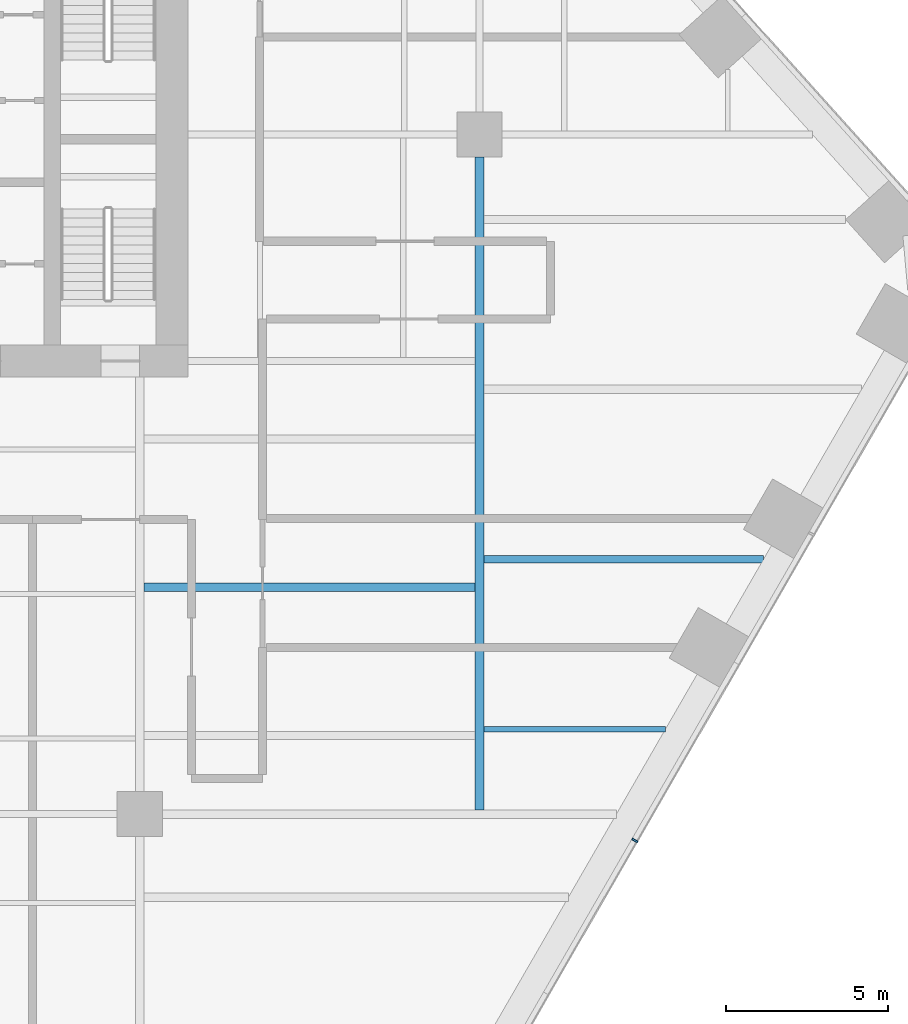
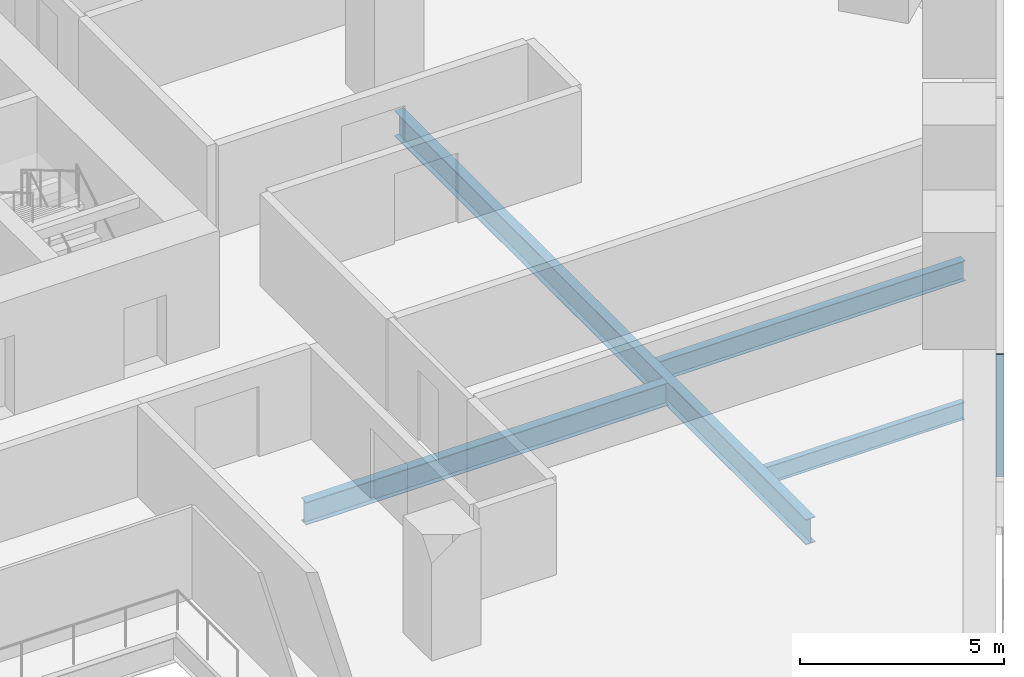
# One storey, part 7 of 21: 4 beams, 1 member, 1 element without a shape of its own.
"""IFC4 building model written with IfcOpenShell, lengths in metres."""

import ifcopenshell
import ifcopenshell.guid

model = None  # the IFC model being written
_history = None  # IfcOwnerHistory: only IFC2X3 demands one
_inside = {}  # id of a spatial element -> (the spatial element, [elements in it])
_under = {}  # id of a project, library or spatial element -> (it, [spatial elements below it])
_declared = {}  # id of a project -> (the project, [libraries it declares])
_typed = {}  # id of a type object -> (the type object, [elements of that type])
_made_of = {}  # id of a material, layer set ... -> (it, [elements and type objects made of it])


def new_model(schema):
    """Start an empty IFC model of exactly this schema.

    Asked for "IFC4X3", IfcOpenShell would pick the latest addendum, in which some entities
    have other attributes; the version numbers below select the first issue.
    IFC2X3 requires an IfcOwnerHistory on every rooted entity: one is made here for all.
    """
    global model, _history
    if schema == "IFC4X3":
        model = ifcopenshell.file(schema_version=(4, 3, 0, 0))
    else:
        model = ifcopenshell.file(schema=schema)
    _inside.clear()
    _under.clear()
    _declared.clear()
    _typed.clear()
    _made_of.clear()
    _history = None
    if model.schema == "IFC2X3":
        org = make("IfcOrganization", Name="unknown")
        user = make(
            "IfcPersonAndOrganization",
            ThePerson=make("IfcPerson", FamilyName="unknown"),
            TheOrganization=org,
        )
        app = make(
            "IfcApplication",
            ApplicationDeveloper=org,
            Version="unknown",
            ApplicationFullName="unknown",
            ApplicationIdentifier="unknown",
        )
        _history = make(
            "IfcOwnerHistory",
            OwningUser=user,
            OwningApplication=app,
            ChangeAction="ADDED",
            CreationDate=0,
        )
    return model


def make(cls, **values):
    """One entity of the class cls with the attributes given. An attribute that is None is left unset."""
    return model.create_entity(
        cls, **{name: value for name, value in values.items() if value is not None}
    )


def rooted(cls, **values):
    """An entity with a GlobalId (a new one), such as an element, a storey or a relation."""
    return make(cls, GlobalId=ifcopenshell.guid.new(), OwnerHistory=_history, **values)


def si_unit(unit_type, name, prefix=None):
    """IfcSIUnit, for example si_unit("LENGTHUNIT", "METRE", prefix="MILLI")."""
    return make("IfcSIUnit", UnitType=unit_type, Prefix=prefix, Name=name)


def assignment(units):
    """IfcUnitAssignment: the units of a project."""
    return None if units is None else make("IfcUnitAssignment", Units=units)


def point(xyz):
    """IfcCartesianPoint."""
    return None if xyz is None else make("IfcCartesianPoint", Coordinates=xyz)


def direction(xyz):
    """IfcDirection."""
    return None if xyz is None else make("IfcDirection", DirectionRatios=xyz)


def frame(location, z_axis=None, x_axis=None):
    """IfcAxis2Placement3D, a coordinate frame: its origin and axes. An axis left out is left unset."""
    return make(
        "IfcAxis2Placement3D",
        Location=point(location),
        Axis=direction(z_axis),
        RefDirection=direction(x_axis),
    )


def frame_2d(location, x_axis=None):
    """IfcAxis2Placement2D, a coordinate frame in the plane: its origin and x axis."""
    return make(
        "IfcAxis2Placement2D", Location=point(location), RefDirection=direction(x_axis)
    )


def origin():
    """The frame at (0, 0, 0) with its axes left unset."""
    return frame((0.0, 0.0, 0.0))


def origin_2d():
    """The frame at (0, 0) in the plane with its x axis left unset."""
    return frame_2d((0.0, 0.0))


def place(relative_to, where):
    """IfcLocalPlacement: puts the frame where relative to a parent placement (None: the world)."""
    return make(
        "IfcLocalPlacement", PlacementRelTo=relative_to, RelativePlacement=where
    )


def context(
    kind, dimensions, precision=None, world=None, true_north=None, identifier=None
):
    """IfcGeometricRepresentationContext, for example the 3D "Model" context."""
    return make(
        "IfcGeometricRepresentationContext",
        ContextIdentifier=identifier,
        ContextType=kind,
        CoordinateSpaceDimension=dimensions,
        Precision=precision,
        WorldCoordinateSystem=world,
        TrueNorth=true_north,
    )


def subcontext(parent, identifier, kind, view, scale=None):
    """IfcGeometricRepresentationSubContext, for example "Body" below "Model"."""
    return make(
        "IfcGeometricRepresentationSubContext",
        ContextIdentifier=identifier,
        ContextType=kind,
        ParentContext=parent,
        TargetScale=scale,
        TargetView=view,
    )


def project(units=None, contexts=None):
    """IfcProject with its units and contexts."""
    return rooted(
        "IfcProject",
        Name="project",
        RepresentationContexts=contexts,
        UnitsInContext=assignment(units),
    )


def spatial(cls, under=None, at=None, **own):
    """A site, building, storey or space (cls), placed at a placement, below another one or the project."""
    s = rooted(cls, ObjectPlacement=at, **own)
    if under is not None:
        _under.setdefault(under.id(), (under, []))[1].append(s)
    return s


def profile(cls, at=None, kind="AREA", **sizes):
    """A parametric profile (cls). Its sizes go by their IFC names, for example OverallWidth=200.0."""
    return make(cls, ProfileType=kind, Position=at, **sizes)


def rectangle(**sizes):
    """IfcRectangleProfileDef."""
    return profile("IfcRectangleProfileDef", **sizes)


def i_section(**sizes):
    """IfcIShapeProfileDef."""
    return profile("IfcIShapeProfileDef", **sizes)


def extrude(swept, where, along, depth):
    """IfcExtrudedAreaSolid: the profile swept, set in the frame where, extruded along a direction by depth."""
    return make(
        "IfcExtrudedAreaSolid",
        SweptArea=swept,
        Position=where,
        ExtrudedDirection=direction(along),
        Depth=depth,
    )


def shape(context_of_items, identifier, shape_type, items):
    """IfcShapeRepresentation: the items that make up one representation, for example the "Body"."""
    return make(
        "IfcShapeRepresentation",
        ContextOfItems=context_of_items,
        RepresentationIdentifier=identifier,
        RepresentationType=shape_type,
        Items=items,
    )


def material(Name=None, Category=None):
    """IfcMaterial."""
    return make("IfcMaterial", Name=Name, Category=Category)


def layer(
    of_material, thickness, ventilated=None, Name=None, Category=None, Priority=None
):
    """IfcMaterialLayer: one layer of a wall or slab, of a material (None: an air gap)."""
    return make(
        "IfcMaterialLayer",
        Material=of_material,
        LayerThickness=thickness,
        IsVentilated=ventilated,
        Name=Name,
        Category=Category,
        Priority=Priority,
    )


def layer_set(layers, Name=None):
    """IfcMaterialLayerSet."""
    return make("IfcMaterialLayerSet", MaterialLayers=layers, LayerSetName=Name)


def material_profile(
    of_material, cross_section, Name=None, Category=None, Priority=None
):
    """IfcMaterialProfile: a cross section and its material."""
    return make(
        "IfcMaterialProfile",
        Name=Name,
        Material=of_material,
        Profile=cross_section,
        Priority=Priority,
        Category=Category,
    )


def profile_set(profiles, Name=None, composite=None):
    """IfcMaterialProfileSet."""
    return make(
        "IfcMaterialProfileSet",
        Name=Name,
        MaterialProfiles=profiles,
        CompositeProfile=composite,
    )


def made_of(thing, what):
    """Note that an element or type object is made of a material, layer set ...; save() writes the relation."""
    if what is not None:
        _made_of.setdefault(what.id(), (what, []))[1].append(thing)
    return thing


def type_object(cls, material=None, **own):
    """A type object (cls), such as IfcWallType, which elements share."""
    return made_of(rooted(cls, **own), material)


def element(
    cls,
    number,
    at=None,
    inside=None,
    cuts=None,
    type_object=None,
    material=None,
    context=None,
    identifier="Body",
    shape_type=None,
    held_by="IfcProductDefinitionShape",
    body=None,
    shapes=None,
    **own,
):
    """One element of the class cls, such as IfcWall. Its Tag is "e" and its number.

    at: its placement. inside: the storey or other place that contains it. cuts: it is an
    opening in that element (IfcRelVoidsElement). A single representation is given by context,
    identifier, shape_type and body (its items); several are given by shapes. held_by: the class
    of the entity that holds the representations. save() writes the other relations.
    """
    e = rooted(cls, Tag="e%d" % number, ObjectPlacement=at, **own)
    if body is not None:
        shapes = [shape(context, identifier, shape_type, body)]
    if shapes is not None:
        e.Representation = make(held_by, Representations=shapes)
    if inside is not None:
        _inside.setdefault(inside.id(), (inside, []))[1].append(e)
    if cuts is not None:
        rooted(
            "IfcRelVoidsElement", RelatingBuildingElement=cuts, RelatedOpeningElement=e
        )
    if type_object is not None:
        _typed.setdefault(type_object.id(), (type_object, []))[1].append(e)
    return made_of(e, material)


def aggregate(whole, parts):
    """IfcRelAggregates: a whole, such as a stair, and the parts it consists of."""
    return rooted("IfcRelAggregates", RelatingObject=whole, RelatedObjects=parts)


def save(model, path):
    """Write the relations noted so far, then the file.

    IfcRelAggregates (storeys below a building ...), IfcRelContainedInSpatialStructure (elements
    in a storey), IfcRelDefinesByType, IfcRelAssociatesMaterial and IfcRelDeclares: one each for
    every whole, place, type object, material and project.
    """
    for whole, parts in _under.values():
        aggregate(whole, parts)
    for where, things in _inside.values():
        rooted(
            "IfcRelContainedInSpatialStructure",
            RelatedElements=things,
            RelatingStructure=where,
        )
    for kind, things in _typed.values():
        rooted("IfcRelDefinesByType", RelatedObjects=things, RelatingType=kind)
    for what, things in _made_of.values():
        rooted("IfcRelAssociatesMaterial", RelatedObjects=things, RelatingMaterial=what)
    for by, libraries in _declared.values():
        rooted("IfcRelDeclares", RelatingContext=by, RelatedDefinitions=libraries)
    model.write(path)


model = new_model("IFC4")

# Units and contexts
model_context = context("Model", 3, precision=1e-05, world=origin(), true_north=direction((0.0, 1.0)))
body_context = subcontext(model_context, "Body", "Model", "MODEL_VIEW")
ifc_project = project(units=[si_unit("LENGTHUNIT", "METRE"), si_unit("AREAUNIT", "SQUARE_METRE"), si_unit("VOLUMEUNIT", "CUBIC_METRE"), si_unit("PLANEANGLEUNIT", "RADIAN"), si_unit("MASSUNIT", "GRAM", prefix="KILO")], contexts=[model_context])

# Site, building, storey
site_placement = place(None, origin())
site = spatial("IfcSite", under=ifc_project, at=site_placement, CompositionType="ELEMENT")
building_placement = place(site_placement, origin())
building = spatial("IfcBuilding", under=site, at=building_placement, Name="Isthmus Gate Tower", CompositionType="ELEMENT")
storey_placement = place(building_placement, frame((0.0, 0.0, 46.949951171875)))
storey = spatial("IfcBuildingStorey", under=building, at=storey_placement, Name="L09", CompositionType="ELEMENT", Elevation=46.949951171875)

# Curtain wall, member
ifc_material_1 = material(Name="Aluminium, pale champagne anodised", Category="aluminium")
ifc_layer = layer(ifc_material_1, 0.199951171875)
ifc_layer_set = layer_set([ifc_layer], Name="CW-1 UNITISED CURTAIN WALL 200 DEEP")
curtain_wall_type = type_object("IfcCurtainWallType", Name="CW-1 UNITISED CURTAIN WALL 200 DEEP", PredefinedType="NOTDEFINED", material=ifc_layer_set)
curtain_wall_placement = place(storey_placement, origin())
curtain_wall = element("IfcCurtainWall", 1, at=curtain_wall_placement, inside=storey, type_object=curtain_wall_type, Name="CW-1 SE L09", PredefinedType="NOTDEFINED")
ifc_material_2 = material(Name="Aluminium, pale champagne anodised", Category="aluminium")
ifc_material_profile_1 = material_profile(ifc_material_2, rectangle(XDim=0.06005859375, YDim=0.199951171875, at=origin_2d()), Name="60x200")
ifc_profile_set_1 = profile_set([ifc_material_profile_1], Name="Aluminium, pale champagne anodised")
member_type = type_object("IfcMemberType", Name="CW-1 MULLION 60 X 200", PredefinedType="MULLION", material=ifc_profile_set_1)
member_placement = place(storey_placement, frame((28.802001953125, -14.3134765625, 0.0), z_axis=(0.0, 0.0, 1.0), x_axis=(0.5, 0.866025403784, 0.0)))
member = element("IfcMember", 2, at=member_placement, type_object=member_type, Name="CW-1 mullion", PredefinedType="MULLION", context=body_context, shape_type="SweptSolid", body=[
    extrude(rectangle(XDim=0.06005859375, YDim=0.199951171875, at=origin_2d()), origin(), (0.0, 0.0, 1.0), 3.650146484375),
])
aggregate(curtain_wall, [member])

# Beams
ifc_material_3 = material(Name="Structural steel ASTM A992 Gr 50", Category="steel")
ifc_material_profile_2 = material_profile(ifc_material_3, i_section(OverallWidth=0.1650390625, OverallDepth=0.52392578125, WebThickness=0.009521484375, FlangeThickness=0.010986328125, at=origin_2d()), Name="W21X44")
ifc_profile_set_2 = profile_set([ifc_material_profile_2], Name="Structural steel ASTM A992 Gr 50")
beam_type_1 = type_object("IfcBeamType", Name="STEEL FLOOR BEAM W21X44", PredefinedType="JOIST", material=ifc_profile_set_2)
beam_1_placement = place(storey_placement, frame((24.13330078125, -10.875, -0.411865234375), z_axis=(1.0, 0.0, 0.0), x_axis=(0.0, 1.0, 0.0)))
element("IfcBeam", 3, at=beam_1_placement, inside=storey, type_object=beam_type_1, Name="str-beam-L09-34-00", PredefinedType="JOIST", context=body_context, shape_type="SweptSolid", body=[
    extrude(i_section(OverallWidth=0.1650390625, OverallDepth=0.52392578125, WebThickness=0.009521484375, FlangeThickness=0.010986328125, at=origin_2d()), origin(), (0.0, 0.0, 1.0), 5.61474609375),
])
ifc_material_4 = material(Name="Structural steel ASTM A992 Gr 50", Category="steel")
ifc_material_profile_3 = material_profile(ifc_material_4, i_section(OverallWidth=0.228515625, OverallDepth=0.603271484375, WebThickness=0.010986328125, FlangeThickness=0.014404296875, at=origin_2d()), Name="W24X68")
ifc_profile_set_3 = profile_set([ifc_material_profile_3], Name="Structural steel ASTM A992 Gr 50")
beam_type_2 = type_object("IfcBeamType", Name="STEEL FLOOR BEAM W24X68", PredefinedType="JOIST", material=ifc_profile_set_3)
beam_2_placement = place(storey_placement, frame((24.13330078125, -5.625, -0.45166015625), z_axis=(1.0, 0.0, 0.0), x_axis=(0.0, 1.0, 0.0)))
element("IfcBeam", 4, at=beam_2_placement, inside=storey, type_object=beam_type_2, Name="str-beam-L09-34-01", PredefinedType="JOIST", context=body_context, shape_type="SweptSolid", body=[
    extrude(i_section(OverallWidth=0.228515625, OverallDepth=0.603271484375, WebThickness=0.010986328125, FlangeThickness=0.014404296875, at=origin_2d()), origin(), (0.0, 0.0, 1.0), 8.645751953125),
])
ifc_material_5 = material(Name="Structural steel ASTM A992 Gr 50", Category="steel")
ifc_material_profile_4 = material_profile(ifc_material_5, i_section(OverallWidth=0.25390625, OverallDepth=0.679443359375, WebThickness=0.010986328125, FlangeThickness=0.015869140625, at=origin_2d()), Name="W27X84")
ifc_profile_set_4 = profile_set([ifc_material_profile_4], Name="Structural steel ASTM A992 Gr 50")
beam_type_3 = type_object("IfcBeamType", Name="STEEL FLOOR BEAM W27X84", PredefinedType="JOIST", material=ifc_profile_set_4)
beam_3_placement = place(storey_placement, frame((13.6318359375, -6.490478515625, -0.48974609375), z_axis=(1.0, 0.0, 0.0), x_axis=(0.0, 1.0, 0.0)))
element("IfcBeam", 5, at=beam_3_placement, inside=storey, type_object=beam_type_3, Name="str-beam-L09-27-01", PredefinedType="JOIST", context=body_context, shape_type="SweptSolid", body=[
    extrude(i_section(OverallWidth=0.25390625, OverallDepth=0.679443359375, WebThickness=0.010986328125, FlangeThickness=0.015869140625, at=origin_2d()), origin(), (0.0, 0.0, 1.0), 10.23486328125),
])
ifc_material_6 = material(Name="Structural steel ASTM A992 Gr 50", Category="steel")
ifc_material_profile_5 = material_profile(ifc_material_6, i_section(OverallWidth=0.2666015625, OverallDepth=0.7587890625, WebThickness=0.014404296875, FlangeThickness=0.01904296875, at=origin_2d()), Name="W30X108")
ifc_profile_set_5 = profile_set([ifc_material_profile_5], Name="Structural steel ASTM A992 Gr 50")
beam_type_4 = type_object("IfcBeamType", Name="STEEL GIRDER W30X108", PredefinedType="BEAM", material=ifc_profile_set_5)
beam_4_placement = place(storey_placement, frame((24.0, -13.36669921875, -0.529296875), z_axis=(0.0, 1.0, 0.0), x_axis=(-1.0, 0.0, 0.0)))
element("IfcBeam", 6, at=beam_4_placement, inside=storey, type_object=beam_type_4, Name="str-girder-L09-35", PredefinedType="BEAM", context=body_context, shape_type="SweptSolid", body=[
    extrude(i_section(OverallWidth=0.2666015625, OverallDepth=0.7587890625, WebThickness=0.014404296875, FlangeThickness=0.01904296875, at=origin_2d()), origin(), (0.0, 0.0, 1.0), 20.166748046875),
])

save(model, "model.ifc")
